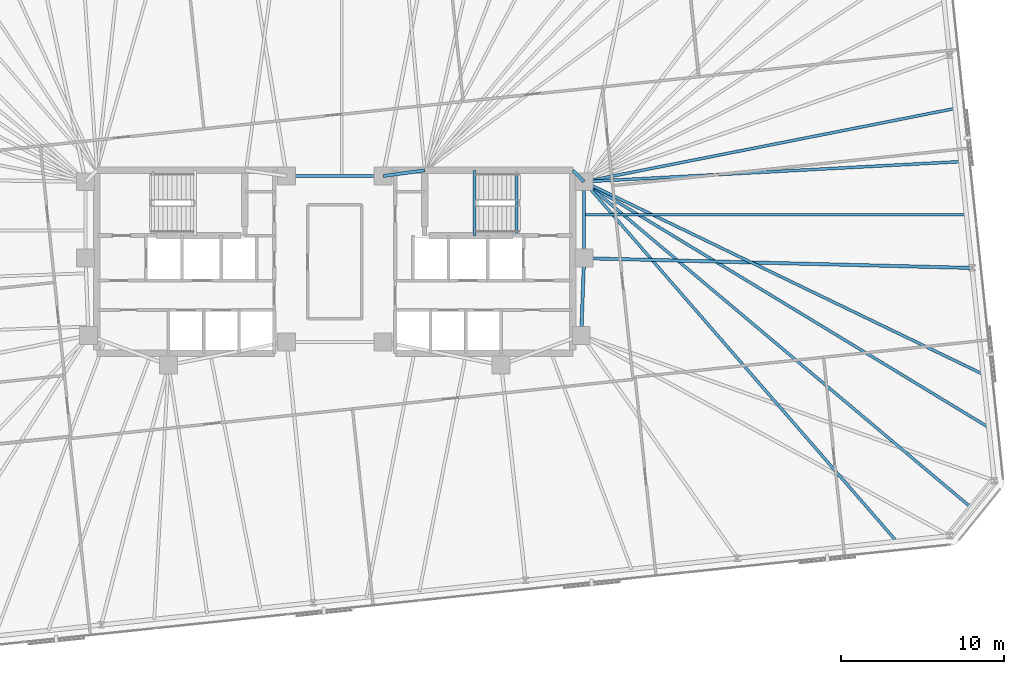
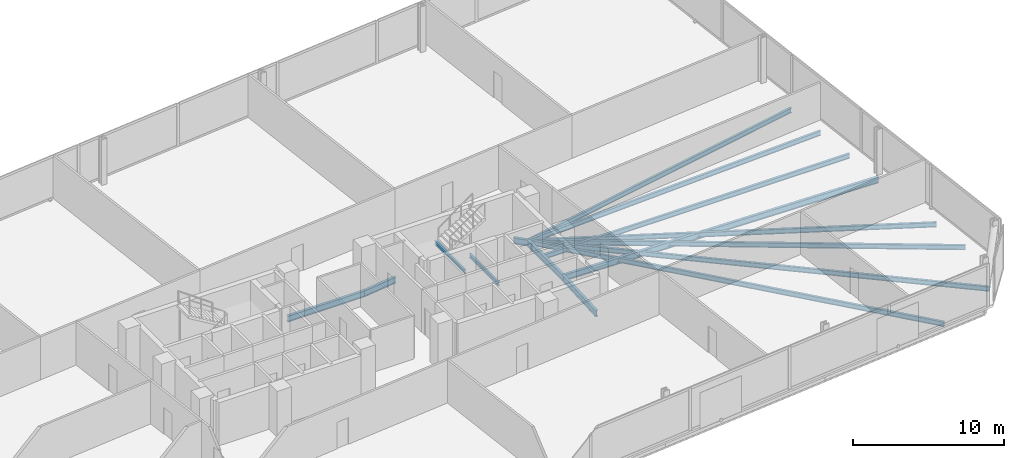
# One storey, part 8 of 18: 15 beams.
"""IFC4 building model written with IfcOpenShell, lengths in metres."""

from ifc_helpers import new_model, si_unit, direction, frame, origin, origin_2d, place, context, subcontext, project, spatial, i_section, extrude, material, material_profile, profile_set, type_object, element, save


model = new_model("IFC4")

# Units and contexts
model_context = context("Model", 3, precision=1e-05, world=origin(), true_north=direction((0.0, 1.0)))
body_context = subcontext(model_context, "Body", "Model", "MODEL_VIEW")
ifc_project = project(units=[si_unit("LENGTHUNIT", "METRE"), si_unit("AREAUNIT", "SQUARE_METRE"), si_unit("VOLUMEUNIT", "CUBIC_METRE"), si_unit("PLANEANGLEUNIT", "RADIAN"), si_unit("MASSUNIT", "GRAM", prefix="KILO")], contexts=[model_context])

# Site, building, storey
site_placement = place(None, origin())
site = spatial("IfcSite", under=ifc_project, at=site_placement, CompositionType="ELEMENT")
building_placement = place(site_placement, origin())
building = spatial("IfcBuilding", under=site, at=building_placement, Name="Menara Jurai Vektor", CompositionType="ELEMENT")
storey_placement = place(building_placement, frame((0.0, 0.0, 94.800048828125)))
storey = spatial("IfcBuildingStorey", under=building, at=storey_placement, Name="L23", CompositionType="ELEMENT", Elevation=94.800048828125)

# Beams
ifc_material = material(Name="Steel S355", Category="steel")
ifc_material_profile_1 = material_profile(ifc_material, i_section(OverallWidth=0.199951171875, OverallDepth=0.5, WebThickness=0.011962890625, FlangeThickness=0.02001953125, at=origin_2d()), Name="PG 500x200x96")
ifc_profile_set_1 = profile_set([ifc_material_profile_1], Name="Steel S355")
beam_type_1 = type_object("IfcBeamType", Name="STR-BM-500", PredefinedType="BEAM", material=ifc_profile_set_1)
beam_1_placement = place(storey_placement, frame((2.949951171875, 5.25, -0.47509765625), z_axis=(0.990706818608, 0.136014703483, 0.0), x_axis=(-0.136014703483, 0.990706818608, 0.0)))
element("IfcBeam", 1, at=beam_1_placement, inside=storey, type_object=beam_type_1, Name="Core Ring Header Girder L23-CHE-N1", PredefinedType="BEAM", context=body_context, shape_type="SweptSolid", body=[
    extrude(i_section(OverallWidth=0.199951171875, OverallDepth=0.5, WebThickness=0.011962890625, FlangeThickness=0.02001953125, at=origin_2d()), origin(), (0.0, 0.0, 1.0), 2.573974609375),
])
beam_2_placement = place(storey_placement, frame((14.56005859375, 5.60009765625, -0.47509765625), z_axis=(0.701871936926, -0.712303154672, 0.0), x_axis=(0.712303154672, 0.701871936926, 0.0)))
element("IfcBeam", 2, at=beam_2_placement, inside=storey, type_object=beam_type_1, Name="Core Ring Header Girder L23-CHE-N2", PredefinedType="BEAM", context=body_context, shape_type="SweptSolid", body=[
    extrude(i_section(OverallWidth=0.199951171875, OverallDepth=0.5, WebThickness=0.011962890625, FlangeThickness=0.02001953125, at=origin_2d()), origin(), (0.0, 0.0, 1.0), 0.98291015625),
])
beam_3_placement = place(storey_placement, frame((15.25, 0.219970703125, -0.47509765625), z_axis=(0.0, 1.0, 0.0), x_axis=(-1.0, 0.0, 0.0)))
element("IfcBeam", 3, at=beam_3_placement, inside=storey, type_object=beam_type_1, Name="Core Ring Header Girder L23-CHE-E1", PredefinedType="BEAM", context=body_context, shape_type="SweptSolid", body=[
    extrude(i_section(OverallWidth=0.199951171875, OverallDepth=0.5, WebThickness=0.011962890625, FlangeThickness=0.02001953125, at=origin_2d()), origin(), (0.0, 0.0, 1.0), 4.679931640625),
])
beam_4_placement = place(storey_placement, frame((15.080078125, -4.5, -0.47509765625), z_axis=(0.035977314146, 0.999352606874, 0.0), x_axis=(-0.999352606874, 0.035977314146, 0.0)))
element("IfcBeam", 4, at=beam_4_placement, inside=storey, type_object=beam_type_1, Name="Core Ring Header Girder L23-CHE-E2", PredefinedType="BEAM", context=body_context, shape_type="SweptSolid", body=[
    extrude(i_section(OverallWidth=0.199951171875, OverallDepth=0.5, WebThickness=0.011962890625, FlangeThickness=0.02001953125, at=origin_2d()), origin(), (0.0, 0.0, 1.0), 4.72314453125),
])
beam_5_placement = place(storey_placement, frame((-2.949951171875, 5.25, -0.47509765625), z_axis=(1.0, 0.0, 0.0), x_axis=(0.0, 1.0, 0.0)))
element("IfcBeam", 5, at=beam_5_placement, inside=storey, type_object=beam_type_1, Name="Core Ring Header Girder L23-CC-2", PredefinedType="BEAM", context=body_context, shape_type="SweptSolid", body=[
    extrude(i_section(OverallWidth=0.199951171875, OverallDepth=0.5, WebThickness=0.011962890625, FlangeThickness=0.02001953125, at=origin_2d()), origin(), (0.0, 0.0, 1.0), 5.89990234375),
])
beam_6_placement = place(storey_placement, frame((38.98828125, -0.375, -0.47509765625), z_axis=(-0.999686051749, 0.02505589629, 0.0), x_axis=(-0.02505589629, -0.999686051749, 0.0)))
element("IfcBeam", 6, at=beam_6_placement, inside=storey, type_object=beam_type_1, Name="Radial Floor Girder L23-E2", PredefinedType="BEAM", context=body_context, shape_type="SweptSolid", body=[
    extrude(i_section(OverallWidth=0.199951171875, OverallDepth=0.5, WebThickness=0.011962890625, FlangeThickness=0.02001953125, at=origin_2d()), origin(), (0.0, 0.0, 1.0), 23.745849609375),
])
ifc_material_profile_2 = material_profile(ifc_material, i_section(OverallWidth=0.175048828125, OverallDepth=0.3798828125, WebThickness=0.010009765625, FlangeThickness=0.014892578125, at=origin_2d()), Name="PG 380x175x58")
ifc_profile_set_2 = profile_set([ifc_material_profile_2], Name="Steel S355")
beam_type_2 = type_object("IfcBeamType", Name="STR-JS-380", PredefinedType="JOIST", material=ifc_profile_set_2)
beam_7_placement = place(storey_placement, frame((34.376953125, -17.106201171875, -0.4150390625), z_axis=(-0.656007047389, 0.754754763996, 0.0), x_axis=(-0.754754763996, -0.656007047389, 0.0)))
element("IfcBeam", 7, at=beam_7_placement, inside=storey, type_object=beam_type_2, Name="Radial Secondary Floor Joist L23-JS09", PredefinedType="JOIST", context=body_context, shape_type="SweptSolid", body=[
    extrude(i_section(OverallWidth=0.175048828125, OverallDepth=0.3798828125, WebThickness=0.010009765625, FlangeThickness=0.014892578125, at=origin_2d()), origin(), (0.0, 0.0, 1.0), 29.15673828125),
])
beam_8_placement = place(storey_placement, frame((38.989013671875, -15.076904296875, -0.4150390625), z_axis=(-0.765132553444, 0.643872794627, 0.0), x_axis=(-0.643872794627, -0.765132553444, 0.0)))
element("IfcBeam", 8, at=beam_8_placement, inside=storey, type_object=beam_type_2, Name="Radial Secondary Floor Joist L23-JS10", PredefinedType="JOIST", context=body_context, shape_type="SweptSolid", body=[
    extrude(i_section(OverallWidth=0.175048828125, OverallDepth=0.3798828125, WebThickness=0.010009765625, FlangeThickness=0.014892578125, at=origin_2d()), origin(), (0.0, 0.0, 1.0), 31.026123046875),
])
beam_9_placement = place(storey_placement, frame((40.01416015625, -10.13525390625, -0.4150390625), z_axis=(-0.854790986557, 0.518972416706, 0.0), x_axis=(-0.518972416706, -0.854790986557, 0.0)))
element("IfcBeam", 9, at=beam_9_placement, inside=storey, type_object=beam_type_2, Name="Radial Secondary Floor Joist L23-JS11", PredefinedType="JOIST", context=body_context, shape_type="SweptSolid", body=[
    extrude(i_section(OverallWidth=0.175048828125, OverallDepth=0.3798828125, WebThickness=0.010009765625, FlangeThickness=0.014892578125, at=origin_2d()), origin(), (0.0, 0.0, 1.0), 28.970947265625),
])
beam_10_placement = place(storey_placement, frame((39.672119140625, -6.8818359375, -0.4150390625), z_axis=(-0.90067072624, 0.434502293312, 0.0), x_axis=(-0.434502293312, -0.90067072624, 0.0)))
element("IfcBeam", 10, at=beam_10_placement, inside=storey, type_object=beam_type_2, Name="Radial Secondary Floor Joist L23-JS12", PredefinedType="JOIST", context=body_context, shape_type="SweptSolid", body=[
    extrude(i_section(OverallWidth=0.175048828125, OverallDepth=0.3798828125, WebThickness=0.010009765625, FlangeThickness=0.014892578125, at=origin_2d()), origin(), (0.0, 0.0, 1.0), 27.115478515625),
])
beam_11_placement = place(storey_placement, frame((38.646484375, 2.87841796875, -0.4150390625), z_axis=(-1.0, 0.0, 0.0), x_axis=(0.0, -1.0, 0.0)))
element("IfcBeam", 11, at=beam_11_placement, inside=storey, type_object=beam_type_2, Name="Radial Secondary Floor Joist L23-JS13", PredefinedType="JOIST", context=body_context, shape_type="SweptSolid", body=[
    extrude(i_section(OverallWidth=0.175048828125, OverallDepth=0.3798828125, WebThickness=0.010009765625, FlangeThickness=0.014892578125, at=origin_2d()), origin(), (0.0, 0.0, 1.0), 23.396484375),
])
beam_12_placement = place(storey_placement, frame((38.304443359375, 6.131591796875, -0.4150390625), z_axis=(-0.998575919005, -0.053349170414, 0.0), x_axis=(0.053349170414, -0.998575919005, 0.0)))
element("IfcBeam", 12, at=beam_12_placement, inside=storey, type_object=beam_type_2, Name="Radial Secondary Floor Joist L23-JS14", PredefinedType="JOIST", context=body_context, shape_type="SweptSolid", body=[
    extrude(i_section(OverallWidth=0.175048828125, OverallDepth=0.3798828125, WebThickness=0.010009765625, FlangeThickness=0.014892578125, at=origin_2d()), origin(), (0.0, 0.0, 1.0), 23.08740234375),
])
beam_13_placement = place(storey_placement, frame((37.96240234375, 9.385009765625, -0.4150390625), z_axis=(-0.981054359007, -0.193732662897, 0.0), x_axis=(0.193732662897, -0.981054359007, 0.0)))
element("IfcBeam", 13, at=beam_13_placement, inside=storey, type_object=beam_type_2, Name="Radial Secondary Floor Joist L23-JS15", PredefinedType="JOIST", context=body_context, shape_type="SweptSolid", body=[
    extrude(i_section(OverallWidth=0.175048828125, OverallDepth=0.3798828125, WebThickness=0.010009765625, FlangeThickness=0.014892578125, at=origin_2d()), origin(), (0.0, 0.0, 1.0), 23.151123046875),
])
ifc_material_profile_3 = material_profile(ifc_material, i_section(OverallWidth=0.1650390625, OverallDepth=0.302978515625, WebThickness=0.006103515625, FlangeThickness=0.010009765625, FilletRadius=0.009033203125, at=origin_2d()), Name="UKB 305x165x40")
ifc_profile_set_3 = profile_set([ifc_material_profile_3], Name="Steel S355")
beam_type_3 = type_object("IfcBeamType", Name="STR-LN-305", PredefinedType="LINTEL", material=ifc_profile_set_3)
beam_14_placement = place(storey_placement, frame((11.1201171875, 1.60009765625, -0.37646484375), z_axis=(0.0, 1.0, 0.0), x_axis=(-1.0, 0.0, 0.0)))
element("IfcBeam", 14, at=beam_14_placement, inside=storey, type_object=beam_type_3, Name="Stair Well Floor Trimmer ST2 L23", PredefinedType="LINTEL", context=body_context, shape_type="SweptSolid", body=[
    extrude(i_section(OverallWidth=0.1650390625, OverallDepth=0.302978515625, WebThickness=0.006103515625, FlangeThickness=0.010009765625, FilletRadius=0.009033203125, at=origin_2d()), origin(), (0.0, 0.0, 1.0), 3.81982421875),
])
beam_15_placement = place(storey_placement, frame((8.550048828125, 1.60009765625, 1.49853515625), z_axis=(0.0, 1.0, 0.0), x_axis=(-1.0, 0.0, 0.0)))
element("IfcBeam", 15, at=beam_15_placement, inside=storey, type_object=beam_type_3, Name="Stair Half-Landing Nosing Trimmer ST2-1 L23", PredefinedType="LINTEL", context=body_context, shape_type="SweptSolid", body=[
    extrude(i_section(OverallWidth=0.1650390625, OverallDepth=0.302978515625, WebThickness=0.006103515625, FlangeThickness=0.010009765625, FilletRadius=0.009033203125, at=origin_2d()), origin(), (0.0, 0.0, 1.0), 4.0),
])

save(model, "model.ifc")
